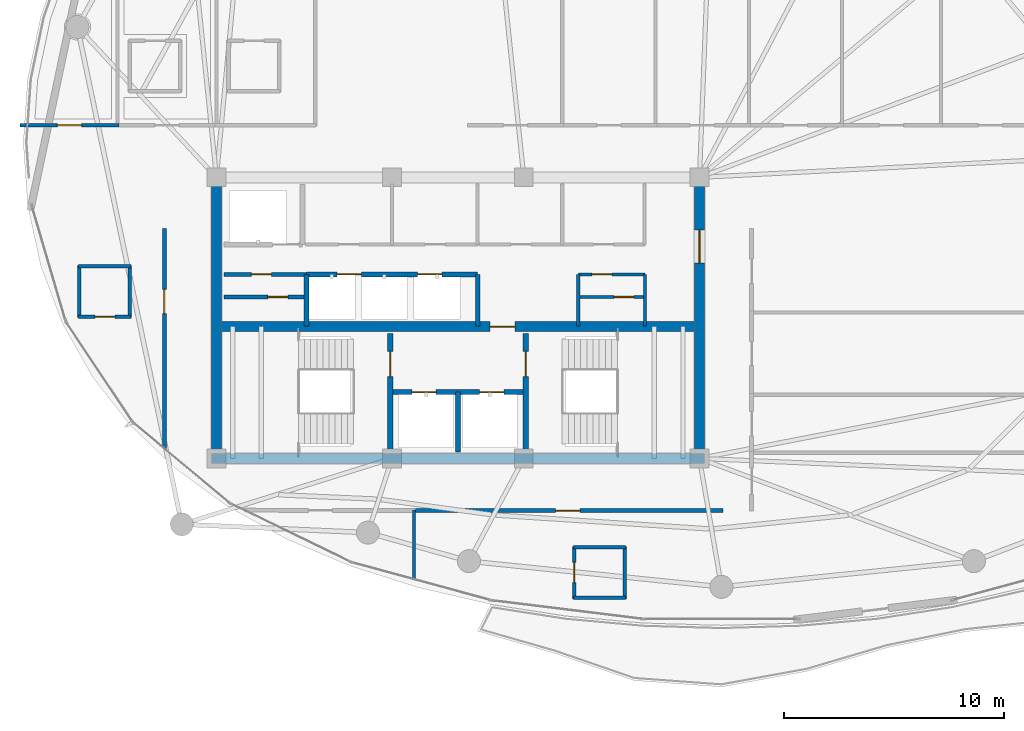
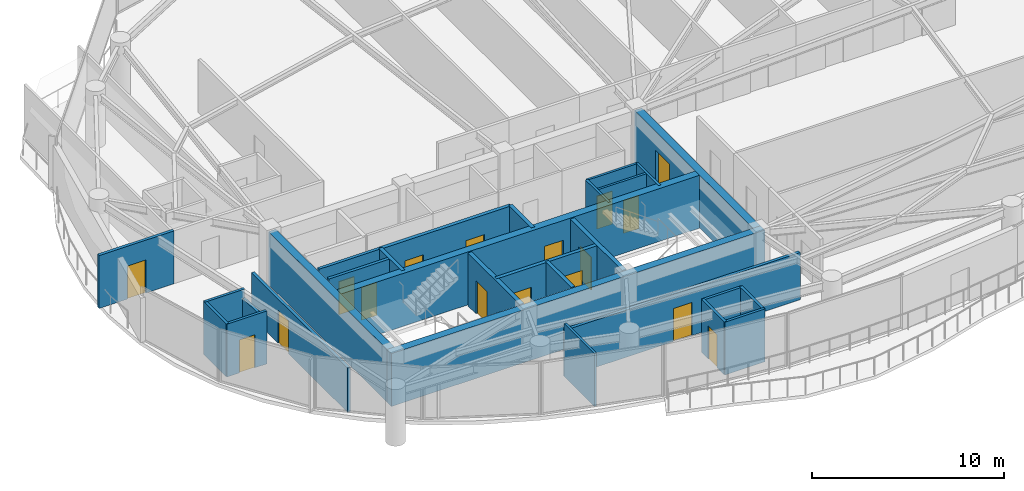
# One storey, part 23 of 29: 29 walls, 17 doors, 17 openings.
"""IFC4 building model written with IfcOpenShell, lengths in metres."""

from ifc_helpers import new_model, si_unit, direction, frame, frame_2d, origin, place, context, subcontext, project, spatial, rectangle, extrude, material, layer, layer_set, type_object, element, fill, save


model = new_model("IFC4")

# Units and contexts
model_context = context("Model", 3, precision=1e-05, world=origin(), true_north=direction((0.0, 1.0)))
body_context = subcontext(model_context, "Body", "Model", "MODEL_VIEW")
ifc_project = project(units=[si_unit("LENGTHUNIT", "METRE"), si_unit("AREAUNIT", "SQUARE_METRE"), si_unit("VOLUMEUNIT", "CUBIC_METRE"), si_unit("PLANEANGLEUNIT", "RADIAN"), si_unit("MASSUNIT", "GRAM", prefix="KILO")], contexts=[model_context])

# Site, building, storey
site_placement = place(None, origin())
site = spatial("IfcSite", under=ifc_project, at=site_placement, CompositionType="ELEMENT")
building_placement = place(site_placement, origin())
building = spatial("IfcBuilding", under=site, at=building_placement, Name="Kazevale Care Tower and Concert Hall", CompositionType="ELEMENT")
storey_placement = place(building_placement, frame((0.0, 0.0, 224.39990234375)))
storey = spatial("IfcBuildingStorey", under=building, at=storey_placement, Name="L59", CompositionType="ELEMENT", Elevation=224.39990234375)

# Walls
ifc_material_1 = material(Name="Acoustic Gypsum on Steel Stud", Category="steel")
ifc_layer_1 = layer(ifc_material_1, 0.139892578125)
ifc_layer_set_1 = layer_set([ifc_layer_1], Name="Acoustic Gypsum on Steel Stud")
wall_type_1 = type_object("IfcWallType", Name="Acoustic Care & Suite Partition 140", PredefinedType="PARTITIONING", material=ifc_layer_set_1)
for number, where, z_axis, x_axis, name in (
    (1, (38.47998046875, 29.6201171875, 0.0), (0.0, 0.0, 1.0), (0.0, 1.0, 0.0), "wall:L59:kc_ew"),
    (2, (41.52001953125, 29.6201171875, 0.0), (0.0, 0.0, 1.0), (0.0, 1.0, 0.0), "wall:L59:kc_ee"),
):
    element("IfcWall", number, at=place(storey_placement, frame(where, z_axis=z_axis, x_axis=x_axis)), inside=storey, type_object=wall_type_1, Name=name, PredefinedType="PARTITIONING", context=body_context, shape_type="SweptSolid", body=[
        extrude(rectangle(XDim=2.35986328125, YDim=0.139892578125, at=frame_2d((1.179931640625, 0.0))), origin(), (0.0, 0.0, 1.0), 3.360107421875),
    ])

# Wall, opening, door
wall_1_placement = place(storey_placement, frame((38.47998046875, 30.949951171875, 0.0), z_axis=(0.0, 0.0, 1.0), x_axis=(1.0, 0.0, 0.0)))
wall_1 = element("IfcWall", 3, at=wall_1_placement, inside=storey, type_object=wall_type_1, Name="wall:L59:kc_em", PredefinedType="PARTITIONING", context=body_context, shape_type="SweptSolid", body=[
    extrude(rectangle(XDim=3.0400390625, YDim=0.139892578125, at=frame_2d((1.52001953125, 0.0))), origin(), (0.0, 0.0, 1.0), 3.360107421875),
])
opening_1_placement = place(wall_1_placement, frame((1.616943359375, 0.0, 0.0)))
opening_1 = element("IfcOpeningElement", 4, at=opening_1_placement, cuts=wall_1, Name="Opening ID-900", PredefinedType="OPENING", context=body_context, shape_type="SweptSolid", body=[
    extrude(rectangle(XDim=0.919921875, YDim=2.10009765625, at=frame_2d((0.4599609375, 1.050048828125))), frame((0.0, 0.079833984375, 0.0), z_axis=(0.0, -1.0, 0.0), x_axis=(1.0, 0.0, 0.0)), (0.0, 0.0, 1.0), 0.159912109375),
])
ifc_material_2 = material(Name="Oak Timber Fire Leaf", Category="wood")
door_type_1 = type_object("IfcDoorType", Name="Bathroom & Service Door 920x2100", OperationType="NOTDEFINED", PredefinedType="DOOR", material=ifc_material_2)
door_1_placement = place(opening_1_placement, origin())
door_1 = element("IfcDoor", 5, at=door_1_placement, inside=storey, type_object=door_type_1, Name="door:L59:d_kceb", OperationType="SINGLE_SWING_RIGHT", OverallHeight=2.10009765625, OverallWidth=0.919921875, PredefinedType="DOOR", context=body_context, shape_type="SweptSolid", body=[
    extrude(rectangle(XDim=0.919921875, YDim=2.10009765625, at=frame_2d((0.4599609375, 1.050048828125))), frame((0.0, 0.02490234375, 0.0), z_axis=(0.0, -1.0, 0.0), x_axis=(1.0, 0.0, 0.0)), (0.0, 0.0, 1.0), 0.050048828125),
])
fill(opening_1, door_1)

wall_2_placement = place(storey_placement, frame((38.47998046875, 31.97998046875, 0.0), z_axis=(0.0, 0.0, 1.0), x_axis=(1.0, 0.0, 0.0)))
wall_2 = element("IfcWall", 6, at=wall_2_placement, inside=storey, type_object=wall_type_1, Name="wall:L59:kc_en", PredefinedType="PARTITIONING", context=body_context, shape_type="SweptSolid", body=[
    extrude(rectangle(XDim=3.0400390625, YDim=0.139892578125, at=frame_2d((1.52001953125, 0.0))), origin(), (0.0, 0.0, 1.0), 3.360107421875),
])
opening_2_placement = place(wall_2_placement, frame((0.614013671875, 0.0, 0.0)))
opening_2 = element("IfcOpeningElement", 7, at=opening_2_placement, cuts=wall_2, Name="Opening ID-900", PredefinedType="OPENING", context=body_context, shape_type="SweptSolid", body=[
    extrude(rectangle(XDim=0.919921875, YDim=2.10009765625, at=frame_2d((0.4599609375, 1.050048828125))), frame((0.0, 0.079833984375, 0.0), z_axis=(0.0, -1.0, 0.0), x_axis=(1.0, 0.0, 0.0)), (0.0, 0.0, 1.0), 0.159912109375),
])
door_2_placement = place(opening_2_placement, origin())
door_2 = element("IfcDoor", 8, at=door_2_placement, inside=storey, type_object=door_type_1, Name="door:L59:d_kcet", OperationType="SINGLE_SWING_LEFT", OverallHeight=2.10009765625, OverallWidth=0.919921875, PredefinedType="DOOR", context=body_context, shape_type="SweptSolid", body=[
    extrude(rectangle(XDim=0.919921875, YDim=2.10009765625, at=frame_2d((0.4599609375, 1.050048828125))), frame((0.0, 0.02490234375, 0.0), z_axis=(0.0, -1.0, 0.0), x_axis=(1.0, 0.0, 0.0)), (0.0, 0.0, 1.0), 0.050048828125),
])
fill(opening_2, door_2)

# Walls
wall_3_placement = place(storey_placement, frame((31.0, 21.2548828125, 0.0), z_axis=(0.0, 0.0, 1.0), x_axis=(0.0, -1.0, 0.0)))
element("IfcWall", 9, at=wall_3_placement, inside=storey, type_object=wall_type_1, Name="wall:L59:auto_030", PredefinedType="PARTITIONING", context=body_context, shape_type="SweptSolid", body=[
    extrude(rectangle(XDim=3.14990234375, YDim=0.139892578125, at=frame_2d((1.574951171875, 0.0))), origin(), (0.0, 0.0, 1.0), 3.360107421875),
])
ifc_material_3 = material(Name="Concrete C50", Category="concrete")
ifc_layer_2 = layer(ifc_material_3, 0.449951171875)
ifc_layer_set_2 = layer_set([ifc_layer_2], Name="Concrete C50")
wall_type_2 = type_object("IfcWallType", Name="Core Shear Wall 450 C50", PredefinedType="SHEAR", material=ifc_layer_set_2)
wall_4_placement = place(storey_placement, frame((21.77490234375, 23.60009765625, 0.0), z_axis=(0.0, 0.0, 1.0), x_axis=(1.0, 0.0, 0.0)))
element("IfcWall", 10, at=wall_4_placement, inside=storey, type_object=wall_type_2, Name="wall:L59:core:S", PredefinedType="SHEAR", context=body_context, shape_type="SweptSolid", body=[
    extrude(rectangle(XDim=22.4501953125, YDim=0.449951171875, at=frame_2d((11.22509765625, 0.0))), origin(), (0.0, 0.0, 1.0), 3.360107421875),
])
wall_5_placement = place(storey_placement, frame((22.0, 23.824951171875, 0.0), z_axis=(0.0, 0.0, 1.0), x_axis=(0.0, 1.0, 0.0)))
element("IfcWall", 11, at=wall_5_placement, inside=storey, type_object=wall_type_2, Name="wall:L59:core:W", PredefinedType="SHEAR", context=body_context, shape_type="SweptSolid", body=[
    extrude(rectangle(XDim=12.35009765625, YDim=0.449951171875, at=frame_2d((6.175048828125, 0.0))), origin(), (0.0, 0.0, 1.0), 3.360107421875),
])

# Wall, opening, door
wall_6_placement = place(storey_placement, frame((44.0, 23.824951171875, 0.0), z_axis=(0.0, 0.0, 1.0), x_axis=(0.0, 1.0, 0.0)))
wall_6 = element("IfcWall", 12, at=wall_6_placement, inside=storey, type_object=wall_type_2, Name="wall:L59:core:E", PredefinedType="SHEAR", context=body_context, shape_type="SweptSolid", body=[
    extrude(rectangle(XDim=12.35009765625, YDim=0.449951171875, at=frame_2d((6.175048828125, 0.0))), origin(), (0.0, 0.0, 1.0), 3.360107421875),
])
opening_3_placement = place(wall_6_placement, frame((8.675048828125, 0.0, 0.0)))
opening_3 = element("IfcOpeningElement", 13, at=opening_3_placement, cuts=wall_6, Name="Opening FD-60D", PredefinedType="OPENING", context=body_context, shape_type="SweptSolid", body=[
    extrude(rectangle(XDim=1.5, YDim=2.14990234375, at=frame_2d((0.75, 1.074951171875))), frame((0.0, 0.23486328125, 0.0), z_axis=(0.0, -1.0, 0.0), x_axis=(1.0, 0.0, 0.0)), (0.0, 0.0, 1.0), 0.469970703125),
])
door_type_2 = type_object("IfcDoorType", Name="Double Lobby & Auditorium Fire Door 1500x2150", OperationType="NOTDEFINED", PredefinedType="DOOR", material=ifc_material_2)
door_3_placement = place(opening_3_placement, origin())
door_3 = element("IfcDoor", 14, at=door_3_placement, inside=storey, type_object=door_type_2, Name="door:L59:core_east_out", OperationType="DOUBLE_DOOR_SINGLE_SWING", OverallHeight=2.14990234375, OverallWidth=1.5, PredefinedType="DOOR", context=body_context, shape_type="SweptSolid", body=[
    extrude(rectangle(XDim=1.5, YDim=2.14990234375, at=frame_2d((0.75, 1.074951171875))), frame((0.0, 0.02490234375, 0.0), z_axis=(0.0, -1.0, 0.0), x_axis=(1.0, 0.0, 0.0)), (0.0, 0.0, 1.0), 0.050048828125),
])
fill(opening_3, door_3)

wall_7_placement = place(storey_placement, frame((22.22509765625, 29.60009765625, 0.0), z_axis=(0.0, 0.0, 1.0), x_axis=(1.0, 0.0, 0.0)))
wall_7 = element("IfcWall", 15, at=wall_7_placement, inside=storey, type_object=wall_type_2, Name="wall:L59:core:M", PredefinedType="SHEAR", context=body_context, shape_type="SweptSolid", body=[
    extrude(rectangle(XDim=21.5498046875, YDim=0.449951171875, at=frame_2d((10.77490234375, 0.0))), origin(), (0.0, 0.0, 1.0), 3.360107421875),
])
opening_4_placement = place(wall_7_placement, frame((12.22509765625, 0.0, 0.0)))
opening_4 = element("IfcOpeningElement", 16, at=opening_4_placement, cuts=wall_7, Name="Opening FD-90", PredefinedType="OPENING", context=body_context, shape_type="SweptSolid", body=[
    extrude(rectangle(XDim=1.14990234375, YDim=2.10009765625, at=frame_2d((0.574951171875, 1.050048828125))), frame((0.0, 0.23486328125, 0.0), z_axis=(0.0, -1.0, 0.0), x_axis=(1.0, 0.0, 0.0)), (0.0, 0.0, 1.0), 0.469970703125),
])
ifc_material_4 = material(Name="Steel ASTM A572 Gr 50", Category="steel")
door_type_3 = type_object("IfcDoorType", Name="Pressurized Stair & Lobby Fire Door 1150x2100", OperationType="NOTDEFINED", PredefinedType="DOOR", material=ifc_material_4)
door_4_placement = place(opening_4_placement, origin())
door_4 = element("IfcDoor", 17, at=door_4_placement, inside=storey, type_object=door_type_3, Name="door:L59:ff_to_pax", OperationType="SINGLE_SWING_LEFT", OverallHeight=2.10009765625, OverallWidth=1.14990234375, PredefinedType="DOOR", context=body_context, shape_type="SweptSolid", body=[
    extrude(rectangle(XDim=1.14990234375, YDim=2.10009765625, at=frame_2d((0.574951171875, 1.050048828125))), frame((0.0, 0.02490234375, 0.0), z_axis=(0.0, -1.0, 0.0), x_axis=(1.0, 0.0, 0.0)), (0.0, 0.0, 1.0), 0.050048828125),
])
fill(opening_4, door_4)

# Wall, openings, doors
ifc_material_5 = material(Name="Concrete C40", Category="concrete")
ifc_layer_3 = layer(ifc_material_5, 0.219970703125)
ifc_layer_set_3 = layer_set([ifc_layer_3], Name="Concrete C40")
wall_type_3 = type_object("IfcWallType", Name="Elevator Hoistway Shaft Wall 220", PredefinedType="SOLIDWALL", material=ifc_layer_set_3)
wall_8_placement = place(storey_placement, frame((29.919921875, 26.6201171875, 0.0), z_axis=(0.0, 0.0, 1.0), x_axis=(1.0, 0.0, 0.0)))
wall_8 = element("IfcWall", 18, at=wall_8_placement, inside=storey, type_object=wall_type_3, Name="wall:L59:c_ffl_n", PredefinedType="SOLIDWALL", context=body_context, shape_type="SweptSolid", body=[
    extrude(rectangle(XDim=6.16015625, YDim=0.219970703125, at=frame_2d((3.080078125, 0.0))), origin(), (0.0, 0.0, 1.0), 3.360107421875),
])
opening_5_placement = place(wall_8_placement, frame((0.989990234375, 0.0, 0.0)))
opening_5 = element("IfcOpeningElement", 19, at=opening_5_placement, cuts=wall_8, Name="Opening LD-FF", PredefinedType="OPENING", context=body_context, shape_type="SweptSolid", body=[
    extrude(rectangle(XDim=1.10009765625, YDim=2.10009765625, at=frame_2d((0.550048828125, 1.050048828125))), frame((0.0, 0.119873046875, 0.0), z_axis=(0.0, -1.0, 0.0), x_axis=(1.0, 0.0, 0.0)), (0.0, 0.0, 1.0), 0.239990234375),
])
opening_6_placement = place(wall_8_placement, frame((4.070068359375, 0.0, 0.0)))
opening_6 = element("IfcOpeningElement", 20, at=opening_6_placement, cuts=wall_8, Name="Opening LD-FF", PredefinedType="OPENING", context=body_context, shape_type="SweptSolid", body=[
    extrude(rectangle(XDim=1.10009765625, YDim=2.10009765625, at=frame_2d((0.550048828125, 1.050048828125))), frame((0.0, 0.119873046875, 0.0), z_axis=(0.0, -1.0, 0.0), x_axis=(1.0, 0.0, 0.0)), (0.0, 0.0, 1.0), 0.239990234375),
])
ifc_material_6 = material(Name="Stainless Steel 316", Category="steel")
door_type_4 = type_object("IfcDoorType", Name="Emergency Lift Sliding Landing Door 1100x2100", OperationType="NOTDEFINED", PredefinedType="DOOR", material=ifc_material_6)
door_5_placement = place(opening_5_placement, origin())
door_5 = element("IfcDoor", 21, at=door_5_placement, inside=storey, type_object=door_type_4, Name="door:L59:ld_ffl1", OperationType="SLIDING_TO_LEFT", OverallHeight=2.10009765625, OverallWidth=1.10009765625, PredefinedType="DOOR", context=body_context, shape_type="SweptSolid", body=[
    extrude(rectangle(XDim=1.10009765625, YDim=2.10009765625, at=frame_2d((0.550048828125, 1.050048828125))), frame((0.0, 0.02490234375, 0.0), z_axis=(0.0, -1.0, 0.0), x_axis=(1.0, 0.0, 0.0)), (0.0, 0.0, 1.0), 0.050048828125),
])
fill(opening_5, door_5)
door_6_placement = place(opening_6_placement, origin())
door_6 = element("IfcDoor", 22, at=door_6_placement, inside=storey, type_object=door_type_4, Name="door:L59:ld_ffl2", OperationType="SLIDING_TO_RIGHT", OverallHeight=2.10009765625, OverallWidth=1.10009765625, PredefinedType="DOOR", context=body_context, shape_type="SweptSolid", body=[
    extrude(rectangle(XDim=1.10009765625, YDim=2.10009765625, at=frame_2d((0.550048828125, 1.050048828125))), frame((0.0, 0.02490234375, 0.0), z_axis=(0.0, -1.0, 0.0), x_axis=(1.0, 0.0, 0.0)), (0.0, 0.0, 1.0), 0.050048828125),
])
fill(opening_6, door_6)

# Walls
wall_9_placement = place(storey_placement, frame((33.0, 23.89990234375, 0.0), z_axis=(0.0, 0.0, 1.0), x_axis=(0.0, 1.0, 0.0)))
element("IfcWall", 23, at=wall_9_placement, inside=storey, type_object=wall_type_3, Name="wall:L59:c_ffl_m", PredefinedType="SOLIDWALL", context=body_context, shape_type="SweptSolid", body=[
    extrude(rectangle(XDim=2.72021484375, YDim=0.219970703125, at=frame_2d((1.360107421875, 0.0))), origin(), (0.0, 0.0, 1.0), 3.360107421875),
])
wall_10_placement = place(storey_placement, frame((26.10009765625, 29.6201171875, 0.0), z_axis=(0.0, 0.0, 1.0), x_axis=(0.0, 1.0, 0.0)))
element("IfcWall", 24, at=wall_10_placement, inside=storey, type_object=wall_type_3, Name="wall:L59:c_ph_w", PredefinedType="SOLIDWALL", context=body_context, shape_type="SweptSolid", body=[
    extrude(rectangle(XDim=2.35986328125, YDim=0.219970703125, at=frame_2d((1.179931640625, 0.0))), origin(), (0.0, 0.0, 1.0), 3.360107421875),
])

# Wall, openings, doors
wall_11_placement = place(storey_placement, frame((26.10009765625, 31.97998046875, 0.0), z_axis=(0.0, 0.0, 1.0), x_axis=(1.0, 0.0, 0.0)))
wall_11 = element("IfcWall", 25, at=wall_11_placement, inside=storey, type_object=wall_type_3, Name="wall:L59:c_ph_n", PredefinedType="SOLIDWALL", context=body_context, shape_type="SweptSolid", body=[
    extrude(rectangle(XDim=7.7998046875, YDim=0.219970703125, at=frame_2d((3.89990234375, 0.0))), origin(), (0.0, 0.0, 1.0), 3.360107421875),
])
opening_7_placement = place(wall_11_placement, frame((1.39990234375, 0.0, 0.0)))
opening_7 = element("IfcOpeningElement", 26, at=opening_7_placement, cuts=wall_11, Name="Opening LD-PAX", PredefinedType="OPENING", context=body_context, shape_type="SweptSolid", body=[
    extrude(rectangle(XDim=1.10009765625, YDim=2.10009765625, at=frame_2d((0.550048828125, 1.050048828125))), frame((0.0, 0.119873046875, 0.0), z_axis=(0.0, -1.0, 0.0), x_axis=(1.0, 0.0, 0.0)), (0.0, 0.0, 1.0), 0.239990234375),
])
opening_8_placement = place(wall_11_placement, frame((5.06591796875, 0.0, 0.0)))
opening_8 = element("IfcOpeningElement", 27, at=opening_8_placement, cuts=wall_11, Name="Opening LD-PAX", PredefinedType="OPENING", context=body_context, shape_type="SweptSolid", body=[
    extrude(rectangle(XDim=1.10009765625, YDim=2.10009765625, at=frame_2d((0.550048828125, 1.050048828125))), frame((0.0, 0.119873046875, 0.0), z_axis=(0.0, -1.0, 0.0), x_axis=(1.0, 0.0, 0.0)), (0.0, 0.0, 1.0), 0.239990234375),
])
door_type_5 = type_object("IfcDoorType", Name="Passenger Lift Sliding Landing Door 1100x2100", OperationType="NOTDEFINED", PredefinedType="DOOR", material=ifc_material_6)
door_7_placement = place(opening_7_placement, origin())
door_7 = element("IfcDoor", 28, at=door_7_placement, inside=storey, type_object=door_type_5, Name="door:L59:ld_ph1", OperationType="SLIDING_TO_LEFT", OverallHeight=2.10009765625, OverallWidth=1.10009765625, PredefinedType="DOOR", context=body_context, shape_type="SweptSolid", body=[
    extrude(rectangle(XDim=1.10009765625, YDim=2.10009765625, at=frame_2d((0.550048828125, 1.050048828125))), frame((0.0, 0.02490234375, 0.0), z_axis=(0.0, -1.0, 0.0), x_axis=(1.0, 0.0, 0.0)), (0.0, 0.0, 1.0), 0.050048828125),
])
fill(opening_7, door_7)
door_8_placement = place(opening_8_placement, origin())
door_8 = element("IfcDoor", 29, at=door_8_placement, inside=storey, type_object=door_type_5, Name="door:L59:ld_ph2", OperationType="SLIDING_TO_RIGHT", OverallHeight=2.10009765625, OverallWidth=1.10009765625, PredefinedType="DOOR", context=body_context, shape_type="SweptSolid", body=[
    extrude(rectangle(XDim=1.10009765625, YDim=2.10009765625, at=frame_2d((0.550048828125, 1.050048828125))), frame((0.0, 0.02490234375, 0.0), z_axis=(0.0, -1.0, 0.0), x_axis=(1.0, 0.0, 0.0)), (0.0, 0.0, 1.0), 0.050048828125),
])
fill(opening_8, door_8)

# Wall
wall_12_placement = place(storey_placement, frame((33.89990234375, 29.6201171875, 0.0), z_axis=(0.0, 0.0, 1.0), x_axis=(0.0, 1.0, 0.0)))
element("IfcWall", 30, at=wall_12_placement, inside=storey, type_object=wall_type_3, Name="wall:L59:c_ph_e", PredefinedType="SOLIDWALL", context=body_context, shape_type="SweptSolid", body=[
    extrude(rectangle(XDim=2.35986328125, YDim=0.219970703125, at=frame_2d((1.179931640625, 0.0))), origin(), (0.0, 0.0, 1.0), 3.360107421875),
])

# Wall, opening, door
ifc_material_7 = material(Name="Concrete C40 and Acoustic Gypsum", Category="concrete")
ifc_layer_4 = layer(ifc_material_7, 0.179931640625)
ifc_layer_set_4 = layer_set([ifc_layer_4], Name="Concrete C40 and Acoustic Gypsum")
wall_type_4 = type_object("IfcWallType", Name="Fire-Rated Corridor & Party Wall 180", PredefinedType="PARTITIONING", material=ifc_layer_set_4)
wall_13_placement = place(storey_placement, frame((22.35009765625, 30.949951171875, 0.0), z_axis=(0.0, 0.0, 1.0), x_axis=(1.0, 0.0, 0.0)))
wall_13 = element("IfcWall", 31, at=wall_13_placement, inside=storey, type_object=wall_type_4, Name="wall:L59:kc_wm", PredefinedType="PARTITIONING", context=body_context, shape_type="SweptSolid", body=[
    extrude(rectangle(XDim=3.75, YDim=0.179931640625, at=frame_2d((1.875, 0.0))), origin(), (0.0, 0.0, 1.0), 3.360107421875),
])
opening_9_placement = place(wall_13_placement, frame((1.988037109375, 0.0, 0.0)))
opening_9 = element("IfcOpeningElement", 32, at=opening_9_placement, cuts=wall_13, Name="Opening ID-900", PredefinedType="OPENING", context=body_context, shape_type="SweptSolid", body=[
    extrude(rectangle(XDim=0.919921875, YDim=2.10009765625, at=frame_2d((0.4599609375, 1.050048828125))), frame((0.0, 0.099853515625, 0.0), z_axis=(0.0, -1.0, 0.0), x_axis=(1.0, 0.0, 0.0)), (0.0, 0.0, 1.0), 0.199951171875),
])
door_9_placement = place(opening_9_placement, origin())
door_9 = element("IfcDoor", 33, at=door_9_placement, inside=storey, type_object=door_type_1, Name="door:L59:d_kcwb", OperationType="SINGLE_SWING_RIGHT", OverallHeight=2.10009765625, OverallWidth=0.919921875, PredefinedType="DOOR", context=body_context, shape_type="SweptSolid", body=[
    extrude(rectangle(XDim=0.919921875, YDim=2.10009765625, at=frame_2d((0.4599609375, 1.050048828125))), frame((0.0, 0.02490234375, 0.0), z_axis=(0.0, -1.0, 0.0), x_axis=(1.0, 0.0, 0.0)), (0.0, 0.0, 1.0), 0.050048828125),
])
fill(opening_9, door_9)

wall_14_placement = place(storey_placement, frame((22.35009765625, 31.97998046875, 0.0), z_axis=(0.0, 0.0, 1.0), x_axis=(1.0, 0.0, 0.0)))
wall_14 = element("IfcWall", 34, at=wall_14_placement, inside=storey, type_object=wall_type_4, Name="wall:L59:kc_wn", PredefinedType="PARTITIONING", context=body_context, shape_type="SweptSolid", body=[
    extrude(rectangle(XDim=3.75, YDim=0.179931640625, at=frame_2d((1.875, 0.0))), origin(), (0.0, 0.0, 1.0), 3.360107421875),
])
opening_10_placement = place(wall_14_placement, frame((1.238037109375, 0.0, 0.0)))
opening_10 = element("IfcOpeningElement", 35, at=opening_10_placement, cuts=wall_14, Name="Opening ID-900", PredefinedType="OPENING", context=body_context, shape_type="SweptSolid", body=[
    extrude(rectangle(XDim=0.919921875, YDim=2.10009765625, at=frame_2d((0.4599609375, 1.050048828125))), frame((0.0, 0.099853515625, 0.0), z_axis=(0.0, -1.0, 0.0), x_axis=(1.0, 0.0, 0.0)), (0.0, 0.0, 1.0), 0.199951171875),
])
door_10_placement = place(opening_10_placement, origin())
door_10 = element("IfcDoor", 36, at=door_10_placement, inside=storey, type_object=door_type_1, Name="door:L59:d_kcwt", OperationType="SINGLE_SWING_LEFT", OverallHeight=2.10009765625, OverallWidth=0.919921875, PredefinedType="DOOR", context=body_context, shape_type="SweptSolid", body=[
    extrude(rectangle(XDim=0.919921875, YDim=2.10009765625, at=frame_2d((0.4599609375, 1.050048828125))), frame((0.0, 0.02490234375, 0.0), z_axis=(0.0, -1.0, 0.0), x_axis=(1.0, 0.0, 0.0)), (0.0, 0.0, 1.0), 0.050048828125),
])
fill(opening_10, door_10)

wall_15_placement = place(storey_placement, frame((13.053955078125, 38.77490234375, 0.0), z_axis=(0.0, 0.0, 1.0), x_axis=(1.0, 0.0, 0.0)))
wall_15 = element("IfcWall", 37, at=wall_15_placement, inside=storey, type_object=wall_type_4, Name="wall:L59:auto_001", PredefinedType="PARTITIONING", context=body_context, shape_type="SweptSolid", body=[
    extrude(rectangle(XDim=4.510986328125, YDim=0.179931640625, at=frame_2d((2.25537109375, 0.0))), origin(), (0.0, 0.0, 1.0), 3.360107421875),
])
opening_11_placement = place(wall_15_placement, frame((1.7060546875, 0.0, 0.0)))
opening_11 = element("IfcOpeningElement", 38, at=opening_11_placement, cuts=wall_15, Name="Opening ID-1100", PredefinedType="OPENING", context=body_context, shape_type="SweptSolid", body=[
    extrude(rectangle(XDim=1.10009765625, YDim=2.10009765625, at=frame_2d((0.550048828125, 1.050048828125))), frame((0.0, 0.099853515625, 0.0), z_axis=(0.0, -1.0, 0.0), x_axis=(1.0, 0.0, 0.0)), (0.0, 0.0, 1.0), 0.199951171875),
])
door_type_6 = type_object("IfcDoorType", Name="Care Bedroom Accessible Door 1100x2100", OperationType="NOTDEFINED", PredefinedType="DOOR", material=ifc_material_2)
door_11_placement = place(opening_11_placement, origin())
door_11 = element("IfcDoor", 39, at=door_11_placement, inside=storey, type_object=door_type_6, Name="door:L59:ad_001", OperationType="SINGLE_SWING_LEFT", OverallHeight=2.10009765625, OverallWidth=1.10009765625, PredefinedType="DOOR", context=body_context, shape_type="SweptSolid", body=[
    extrude(rectangle(XDim=1.10009765625, YDim=2.10009765625, at=frame_2d((0.550048828125, 1.050048828125))), frame((0.0, 0.02490234375, 0.0), z_axis=(0.0, -1.0, 0.0), x_axis=(1.0, 0.0, 0.0)), (0.0, 0.0, 1.0), 0.050048828125),
])
fill(opening_11, door_11)

wall_16_placement = place(storey_placement, frame((45.06494140625, 21.22509765625, 0.0), z_axis=(0.0, 0.0, 1.0), x_axis=(-1.0, 0.0, 0.0)))
wall_16 = element("IfcWall", 40, at=wall_16_placement, inside=storey, type_object=wall_type_4, Name="wall:L59:auto_017", PredefinedType="PARTITIONING", context=body_context, shape_type="SweptSolid", body=[
    extrude(rectangle(XDim=14.1298828125, YDim=0.179931640625, at=frame_2d((7.06494140625, 0.0))), origin(), (0.0, 0.0, 1.0), 2.99609375),
])
opening_12_placement = place(wall_16_placement, frame((6.514892578125, 0.0, 0.0)))
opening_12 = element("IfcOpeningElement", 41, at=opening_12_placement, cuts=wall_16, Name="Opening ID-1100", PredefinedType="OPENING", context=body_context, shape_type="SweptSolid", body=[
    extrude(rectangle(XDim=1.10009765625, YDim=2.10009765625, at=frame_2d((0.550048828125, 1.050048828125))), frame((0.0, 0.099853515625, 0.0), z_axis=(0.0, -1.0, 0.0), x_axis=(1.0, 0.0, 0.0)), (0.0, 0.0, 1.0), 0.199951171875),
])
door_12_placement = place(opening_12_placement, origin())
door_12 = element("IfcDoor", 42, at=door_12_placement, inside=storey, type_object=door_type_6, Name="door:L59:ad_017", OperationType="SINGLE_SWING_LEFT", OverallHeight=2.10009765625, OverallWidth=1.10009765625, PredefinedType="DOOR", context=body_context, shape_type="SweptSolid", body=[
    extrude(rectangle(XDim=1.10009765625, YDim=2.10009765625, at=frame_2d((0.550048828125, 1.050048828125))), frame((0.0, 0.02490234375, 0.0), z_axis=(0.0, -1.0, 0.0), x_axis=(1.0, 0.0, 0.0)), (0.0, 0.0, 1.0), 0.050048828125),
])
fill(opening_12, door_12)

wall_17_placement = place(storey_placement, frame((19.625, 24.059814453125, 0.0), z_axis=(0.0, 0.0, 1.0), x_axis=(0.0, 1.0, 0.0)))
wall_17 = element("IfcWall", 43, at=wall_17_placement, inside=storey, type_object=wall_type_4, Name="wall:L59:auto_018", PredefinedType="PARTITIONING", context=body_context, shape_type="SweptSolid", body=[
    extrude(rectangle(XDim=10.005126953125, YDim=0.179931640625, at=frame_2d((5.00244140625, 0.0))), origin(), (0.0, 0.0, 1.0), 2.817138671875),
])
opening_13_placement = place(wall_17_placement, frame((6.139892578125, 0.0, 0.0)))
opening_13 = element("IfcOpeningElement", 44, at=opening_13_placement, cuts=wall_17, Name="Opening ID-1100", PredefinedType="OPENING", context=body_context, shape_type="SweptSolid", body=[
    extrude(rectangle(XDim=1.10009765625, YDim=2.10009765625, at=frame_2d((0.550048828125, 1.050048828125))), frame((0.0, 0.099853515625, 0.0), z_axis=(0.0, -1.0, 0.0), x_axis=(1.0, 0.0, 0.0)), (0.0, 0.0, 1.0), 0.199951171875),
])
door_13_placement = place(opening_13_placement, origin())
door_13 = element("IfcDoor", 45, at=door_13_placement, inside=storey, type_object=door_type_6, Name="door:L59:ad_018", OperationType="SINGLE_SWING_LEFT", OverallHeight=2.10009765625, OverallWidth=1.10009765625, PredefinedType="DOOR", context=body_context, shape_type="SweptSolid", body=[
    extrude(rectangle(XDim=1.10009765625, YDim=2.10009765625, at=frame_2d((0.550048828125, 1.050048828125))), frame((0.0, 0.02490234375, 0.0), z_axis=(0.0, -1.0, 0.0), x_axis=(1.0, 0.0, 0.0)), (0.0, 0.0, 1.0), 0.050048828125),
])
fill(opening_13, door_13)

# Walls
ifc_layer_5 = layer(ifc_material_1, 0.159912109375)
ifc_layer_set_5 = layer_set([ifc_layer_5], Name="Acoustic Gypsum on Steel Stud")
wall_type_5 = type_object("IfcWallType", Name="Moisture-Resistant Bathroom Plumbing Wall 160", PredefinedType="PLUMBINGWALL", material=ifc_layer_set_5)
for number, where, z_axis, x_axis, name in (
    (46, (38.260009765625, 17.2470703125, 0.0), (0.0, 0.0, 1.0), (1.0, 0.0, 0.0), "wall:L59:sb2_ens_ws"),
    (47, (38.260009765625, 19.547119140625, 0.0), (0.0, 0.0, 1.0), (1.0, 0.0, 0.0), "wall:L59:sb2_ens_wn"),
):
    element("IfcWall", number, at=place(storey_placement, frame(where, z_axis=z_axis, x_axis=x_axis)), inside=storey, type_object=wall_type_5, Name=name, PredefinedType="PLUMBINGWALL", context=body_context, shape_type="SweptSolid", body=[
        extrude(rectangle(XDim=2.3798828125, YDim=0.159912109375, at=frame_2d((1.18994140625, 0.0))), origin(), (0.0, 0.0, 1.0), 3.360107421875),
    ])

# Wall, opening, door
wall_18_placement = place(storey_placement, frame((38.300048828125, 17.20703125, 0.0), z_axis=(0.0, 0.0, 1.0), x_axis=(0.0, 1.0, 0.0)))
wall_18 = element("IfcWall", 48, at=wall_18_placement, inside=storey, type_object=wall_type_5, Name="wall:L59:sb2_ens_ww", PredefinedType="PLUMBINGWALL", context=body_context, shape_type="SweptSolid", body=[
    extrude(rectangle(XDim=2.3798828125, YDim=0.159912109375, at=frame_2d((1.18994140625, 0.0))), origin(), (0.0, 0.0, 1.0), 3.360107421875),
])
opening_14_placement = place(wall_18_placement, frame((0.739990234375, 0.0, 0.0)))
opening_14 = element("IfcOpeningElement", 49, at=opening_14_placement, cuts=wall_18, Name="Opening ID-900", PredefinedType="OPENING", context=body_context, shape_type="SweptSolid", body=[
    extrude(rectangle(XDim=0.919921875, YDim=2.10009765625, at=frame_2d((0.4599609375, 1.050048828125))), frame((0.0, 0.08984375, 0.0), z_axis=(0.0, -1.0, 0.0), x_axis=(1.0, 0.0, 0.0)), (0.0, 0.0, 1.0), 0.179931640625),
])
door_14_placement = place(opening_14_placement, origin())
door_14 = element("IfcDoor", 50, at=door_14_placement, inside=storey, type_object=door_type_1, Name="door:L59:sb2_ens_d", OperationType="SINGLE_SWING_LEFT", OverallHeight=2.10009765625, OverallWidth=0.919921875, PredefinedType="DOOR", context=body_context, shape_type="SweptSolid", body=[
    extrude(rectangle(XDim=0.919921875, YDim=2.10009765625, at=frame_2d((0.4599609375, 1.050048828125))), frame((0.0, 0.02490234375, 0.0), z_axis=(0.0, -1.0, 0.0), x_axis=(1.0, 0.0, 0.0)), (0.0, 0.0, 1.0), 0.050048828125),
])
fill(opening_14, door_14)

# Wall
wall_19_placement = place(storey_placement, frame((40.60009765625, 17.20703125, 0.0), z_axis=(0.0, 0.0, 1.0), x_axis=(0.0, 1.0, 0.0)))
element("IfcWall", 51, at=wall_19_placement, inside=storey, type_object=wall_type_5, Name="wall:L59:sb2_ens_we", PredefinedType="PLUMBINGWALL", context=body_context, shape_type="SweptSolid", body=[
    extrude(rectangle(XDim=2.3798828125, YDim=0.159912109375, at=frame_2d((1.18994140625, 0.0))), origin(), (0.0, 0.0, 1.0), 3.360107421875),
])

# Wall, opening, door
wall_20_placement = place(storey_placement, frame((15.718994140625, 30.050048828125, 0.0), z_axis=(0.0, 0.0, 1.0), x_axis=(1.0, 0.0, 0.0)))
wall_20 = element("IfcWall", 52, at=wall_20_placement, inside=storey, type_object=wall_type_5, Name="wall:L59:wb2_ens_ws", PredefinedType="PLUMBINGWALL", context=body_context, shape_type="SweptSolid", body=[
    extrude(rectangle(XDim=2.380126953125, YDim=0.159912109375, at=frame_2d((1.18994140625, 0.0))), origin(), (0.0, 0.0, 1.0), 3.360107421875),
])
opening_15_placement = place(wall_20_placement, frame((0.739990234375, 0.0, 0.0)))
opening_15 = element("IfcOpeningElement", 53, at=opening_15_placement, cuts=wall_20, Name="Opening ID-900", PredefinedType="OPENING", context=body_context, shape_type="SweptSolid", body=[
    extrude(rectangle(XDim=0.919921875, YDim=2.10009765625, at=frame_2d((0.4599609375, 1.050048828125))), frame((0.0, 0.08984375, 0.0), z_axis=(0.0, -1.0, 0.0), x_axis=(1.0, 0.0, 0.0)), (0.0, 0.0, 1.0), 0.179931640625),
])
door_15_placement = place(opening_15_placement, origin())
door_15 = element("IfcDoor", 54, at=door_15_placement, inside=storey, type_object=door_type_1, Name="door:L59:wb2_ens_d", OperationType="SINGLE_SWING_LEFT", OverallHeight=2.10009765625, OverallWidth=0.919921875, PredefinedType="DOOR", context=body_context, shape_type="SweptSolid", body=[
    extrude(rectangle(XDim=0.919921875, YDim=2.10009765625, at=frame_2d((0.4599609375, 1.050048828125))), frame((0.0, 0.02490234375, 0.0), z_axis=(0.0, -1.0, 0.0), x_axis=(1.0, 0.0, 0.0)), (0.0, 0.0, 1.0), 0.050048828125),
])
fill(opening_15, door_15)

# Walls
wall_21_placement = place(storey_placement, frame((15.718994140625, 32.35009765625, 0.0), z_axis=(0.0, 0.0, 1.0), x_axis=(1.0, 0.0, 0.0)))
element("IfcWall", 55, at=wall_21_placement, inside=storey, type_object=wall_type_5, Name="wall:L59:wb2_ens_wn", PredefinedType="PLUMBINGWALL", context=body_context, shape_type="SweptSolid", body=[
    extrude(rectangle(XDim=2.380126953125, YDim=0.159912109375, at=frame_2d((1.18994140625, 0.0))), origin(), (0.0, 0.0, 1.0), 3.360107421875),
])
wall_22_placement = place(storey_placement, frame((15.759033203125, 30.010009765625, 0.0), z_axis=(0.0, 0.0, 1.0), x_axis=(0.0, 1.0, 0.0)))
element("IfcWall", 56, at=wall_22_placement, inside=storey, type_object=wall_type_5, Name="wall:L59:wb2_ens_ww", PredefinedType="PLUMBINGWALL", context=body_context, shape_type="SweptSolid", body=[
    extrude(rectangle(XDim=2.3798828125, YDim=0.159912109375, at=frame_2d((1.18994140625, 0.0))), origin(), (0.0, 0.0, 1.0), 3.360107421875),
])
wall_23_placement = place(storey_placement, frame((18.05908203125, 30.010009765625, 0.0), z_axis=(0.0, 0.0, 1.0), x_axis=(0.0, 1.0, 0.0)))
element("IfcWall", 57, at=wall_23_placement, inside=storey, type_object=wall_type_5, Name="wall:L59:wb2_ens_we", PredefinedType="PLUMBINGWALL", context=body_context, shape_type="SweptSolid", body=[
    extrude(rectangle(XDim=2.3798828125, YDim=0.159912109375, at=frame_2d((1.18994140625, 0.0))), origin(), (0.0, 0.0, 1.0), 2.817138671875),
])

# Wall, opening, door
ifc_layer_6 = layer(ifc_material_5, 0.25)
ifc_layer_set_6 = layer_set([ifc_layer_6], Name="Concrete C40")
wall_type_6 = type_object("IfcWallType", Name="Pressurized Stair Shaft Wall 250", PredefinedType="SOLIDWALL", material=ifc_layer_set_6)
wall_24_placement = place(storey_placement, frame((29.919921875, 23.89990234375, 0.0), z_axis=(0.0, 0.0, 1.0), x_axis=(0.0, 1.0, 0.0)))
wall_24 = element("IfcWall", 58, at=wall_24_placement, inside=storey, type_object=wall_type_6, Name="wall:L59:c_st1_e", PredefinedType="SOLIDWALL", context=body_context, shape_type="SweptSolid", body=[
    extrude(rectangle(XDim=5.400146484375, YDim=0.25, at=frame_2d((2.7001953125, 0.0))), origin(), (0.0, 0.0, 1.0), 3.360107421875),
])
opening_16_placement = place(wall_24_placement, frame((3.4208984375, 0.0, 0.0)))
opening_16 = element("IfcOpeningElement", 59, at=opening_16_placement, cuts=wall_24, Name="Opening FD-90", PredefinedType="OPENING", context=body_context, shape_type="SweptSolid", body=[
    extrude(rectangle(XDim=1.14990234375, YDim=2.10009765625, at=frame_2d((0.574951171875, 1.050048828125))), frame((0.0, 0.135009765625, 0.0), z_axis=(0.0, -1.0, 0.0), x_axis=(1.0, 0.0, 0.0)), (0.0, 0.0, 1.0), 0.27001953125),
])
door_16_placement = place(opening_16_placement, origin())
door_16 = element("IfcDoor", 60, at=door_16_placement, inside=storey, type_object=door_type_3, Name="door:L59:st1", OperationType="SINGLE_SWING_RIGHT", OverallHeight=2.10009765625, OverallWidth=1.14990234375, PredefinedType="DOOR", context=body_context, shape_type="SweptSolid", body=[
    extrude(rectangle(XDim=1.14990234375, YDim=2.10009765625, at=frame_2d((0.574951171875, 1.050048828125))), frame((0.0, 0.02490234375, 0.0), z_axis=(0.0, -1.0, 0.0), x_axis=(1.0, 0.0, 0.0)), (0.0, 0.0, 1.0), 0.050048828125),
])
fill(opening_16, door_16)

wall_25_placement = place(storey_placement, frame((36.080078125, 23.89990234375, 0.0), z_axis=(0.0, 0.0, 1.0), x_axis=(0.0, 1.0, 0.0)))
wall_25 = element("IfcWall", 61, at=wall_25_placement, inside=storey, type_object=wall_type_6, Name="wall:L59:c_st2_w", PredefinedType="SOLIDWALL", context=body_context, shape_type="SweptSolid", body=[
    extrude(rectangle(XDim=5.400146484375, YDim=0.25, at=frame_2d((2.7001953125, 0.0))), origin(), (0.0, 0.0, 1.0), 3.360107421875),
])
opening_17_placement = place(wall_25_placement, frame((3.4208984375, 0.0, 0.0)))
opening_17 = element("IfcOpeningElement", 62, at=opening_17_placement, cuts=wall_25, Name="Opening FD-90", PredefinedType="OPENING", context=body_context, shape_type="SweptSolid", body=[
    extrude(rectangle(XDim=1.14990234375, YDim=2.10009765625, at=frame_2d((0.574951171875, 1.050048828125))), frame((0.0, 0.135009765625, 0.0), z_axis=(0.0, -1.0, 0.0), x_axis=(1.0, 0.0, 0.0)), (0.0, 0.0, 1.0), 0.27001953125),
])
door_17_placement = place(opening_17_placement, origin())
door_17 = element("IfcDoor", 63, at=door_17_placement, inside=storey, type_object=door_type_3, Name="door:L59:st2", OperationType="SINGLE_SWING_LEFT", OverallHeight=2.10009765625, OverallWidth=1.14990234375, PredefinedType="DOOR", context=body_context, shape_type="SweptSolid", body=[
    extrude(rectangle(XDim=1.14990234375, YDim=2.10009765625, at=frame_2d((0.574951171875, 1.050048828125))), frame((0.0, 0.02490234375, 0.0), z_axis=(0.0, -1.0, 0.0), x_axis=(1.0, 0.0, 0.0)), (0.0, 0.0, 1.0), 0.050048828125),
])
fill(opening_17, door_17)

save(model, "model.ifc")
